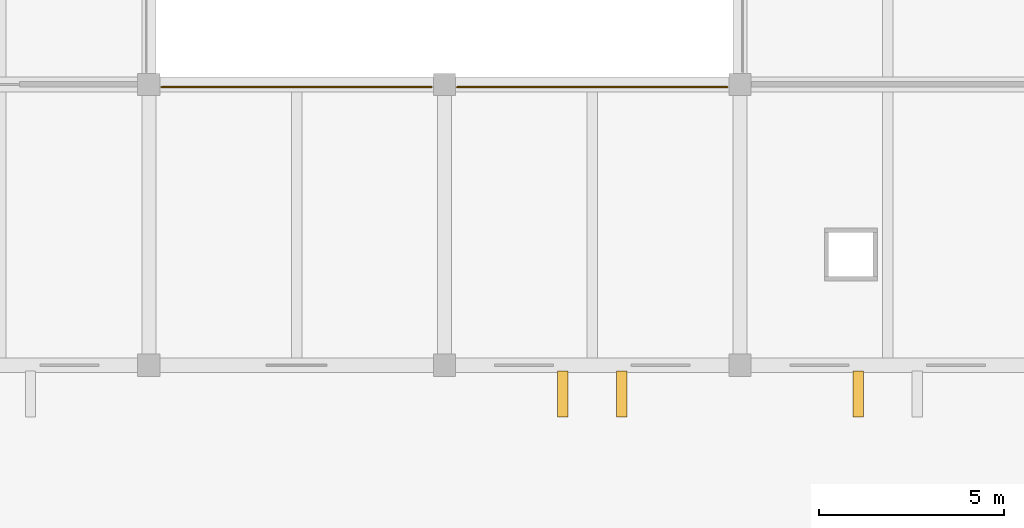
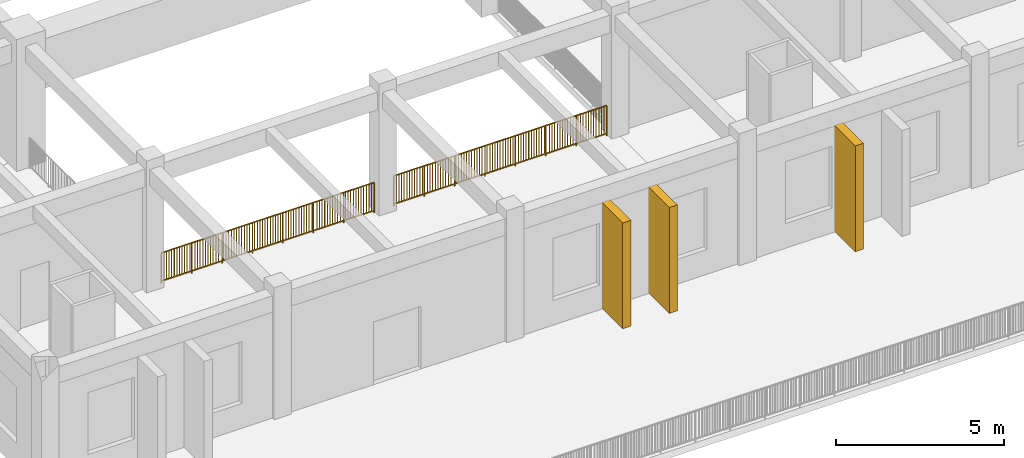
# One storey, part 99 of 101: 3 shading devices, 2 railings.
"""IFC4 building model written with IfcOpenShell, lengths in metres."""

from ifc_helpers import new_model, si_unit, direction, frame, origin, origin_2d, place, context, subcontext, project, spatial, rectangle, circle, extrude, material, type_object, element, save


model = new_model("IFC4")

# Units and contexts
model_context = context("Model", 3, precision=1e-05, world=origin(), true_north=direction((0.0, 1.0)))
body_context = subcontext(model_context, "Body", "Model", "MODEL_VIEW")
ifc_project = project(units=[si_unit("LENGTHUNIT", "METRE"), si_unit("AREAUNIT", "SQUARE_METRE"), si_unit("VOLUMEUNIT", "CUBIC_METRE"), si_unit("PLANEANGLEUNIT", "RADIAN"), si_unit("MASSUNIT", "GRAM", prefix="KILO")], contexts=[model_context])

# Site, building, storey
site_placement = place(None, origin())
site = spatial("IfcSite", under=ifc_project, at=site_placement, CompositionType="ELEMENT")
building_placement = place(site_placement, origin())
building = spatial("IfcBuilding", under=site, at=building_placement, Name="Zantavel Square City Hall", CompositionType="ELEMENT")
storey_placement = place(building_placement, frame((0.0, 0.0, 5.39990234375)))
storey = spatial("IfcBuildingStorey", under=building, at=storey_placement, Name="L02", CompositionType="ELEMENT", Elevation=5.39990234375)

# Railings
ifc_material_1 = material(Name="Steel ASTM A500 Grade B", Category="steel")
railing_type = type_object("IfcRailingType", Name="Atrium & Gallery Steel Guard Railing 1100mm", PredefinedType="GUARDRAIL", material=ifc_material_1)
railing_1_placement = place(storey_placement, frame((128.340087890625, 15.1298828125, 0.0)))
element("IfcRailing", 1, at=railing_1_placement, inside=storey, type_object=railing_type, Name="L02 Atrium Void Guard 021", PredefinedType="GUARDRAIL", context=body_context, shape_type="SweptSolid", body=[
    extrude(circle(Radius=0.02392578125, at=origin_2d()), frame((0.0, 0.0, 1.09619140625), z_axis=(1.0, 0.0, 0.0), x_axis=(0.0, 1.0, 0.0)), (0.0, 0.0, 1.0), 7.31982421875),
    extrude(rectangle(XDim=0.031982421875, YDim=0.031982421875, at=origin_2d()), frame((0.0, 0.0, 0.080078125), z_axis=(1.0, 0.0, 0.0), x_axis=(0.0, 1.0, 0.0)), (0.0, 0.0, 1.0), 7.31982421875),
    extrude(rectangle(XDim=0.02197265625, YDim=0.02197265625, at=origin_2d()), frame((0.08935546875, 0.0, 0.080078125)), (0.0, 0.0, 1.0), 0.991943359375),
    extrude(rectangle(XDim=0.02197265625, YDim=0.02197265625, at=origin_2d()), frame((0.178466796875, 0.0, 0.080078125)), (0.0, 0.0, 1.0), 0.991943359375),
    extrude(rectangle(XDim=0.02197265625, YDim=0.02197265625, at=origin_2d()), frame((0.267822265625, 0.0, 0.080078125)), (0.0, 0.0, 1.0), 0.991943359375),
    extrude(rectangle(XDim=0.02197265625, YDim=0.02197265625, at=origin_2d()), frame((0.357177734375, 0.0, 0.080078125)), (0.0, 0.0, 1.0), 0.991943359375),
    extrude(rectangle(XDim=0.02197265625, YDim=0.02197265625, at=origin_2d()), frame((0.4462890625, 0.0, 0.080078125)), (0.0, 0.0, 1.0), 0.991943359375),
    extrude(rectangle(XDim=0.02197265625, YDim=0.02197265625, at=origin_2d()), frame((0.53564453125, 0.0, 0.080078125)), (0.0, 0.0, 1.0), 0.991943359375),
    extrude(rectangle(XDim=0.02197265625, YDim=0.02197265625, at=origin_2d()), frame((0.624755859375, 0.0, 0.080078125)), (0.0, 0.0, 1.0), 0.991943359375),
    extrude(rectangle(XDim=0.02197265625, YDim=0.02197265625, at=origin_2d()), frame((0.714111328125, 0.0, 0.080078125)), (0.0, 0.0, 1.0), 0.991943359375),
    extrude(rectangle(XDim=0.02197265625, YDim=0.02197265625, at=origin_2d()), frame((0.803466796875, 0.0, 0.080078125)), (0.0, 0.0, 1.0), 0.991943359375),
    extrude(rectangle(XDim=0.02197265625, YDim=0.02197265625, at=origin_2d()), frame((0.892578125, 0.0, 0.080078125)), (0.0, 0.0, 1.0), 0.991943359375),
    extrude(rectangle(XDim=0.02197265625, YDim=0.02197265625, at=origin_2d()), frame((0.98193359375, 0.0, 0.080078125)), (0.0, 0.0, 1.0), 0.991943359375),
    extrude(rectangle(XDim=0.02197265625, YDim=0.02197265625, at=origin_2d()), frame((1.160400390625, 0.0, 0.080078125)), (0.0, 0.0, 1.0), 0.991943359375),
    extrude(rectangle(XDim=0.02197265625, YDim=0.02197265625, at=origin_2d()), frame((1.249755859375, 0.0, 0.080078125)), (0.0, 0.0, 1.0), 0.991943359375),
    extrude(rectangle(XDim=0.02197265625, YDim=0.02197265625, at=origin_2d()), frame((1.339111328125, 0.0, 0.080078125)), (0.0, 0.0, 1.0), 0.991943359375),
    extrude(rectangle(XDim=0.02197265625, YDim=0.02197265625, at=origin_2d()), frame((1.42822265625, 0.0, 0.080078125)), (0.0, 0.0, 1.0), 0.991943359375),
    extrude(rectangle(XDim=0.02197265625, YDim=0.02197265625, at=origin_2d()), frame((1.517578125, 0.0, 0.080078125)), (0.0, 0.0, 1.0), 0.991943359375),
    extrude(rectangle(XDim=0.02197265625, YDim=0.02197265625, at=origin_2d()), frame((1.606689453125, 0.0, 0.080078125)), (0.0, 0.0, 1.0), 0.991943359375),
    extrude(rectangle(XDim=0.02197265625, YDim=0.02197265625, at=origin_2d()), frame((1.696044921875, 0.0, 0.080078125)), (0.0, 0.0, 1.0), 0.991943359375),
    extrude(rectangle(XDim=0.02197265625, YDim=0.02197265625, at=origin_2d()), frame((1.785400390625, 0.0, 0.080078125)), (0.0, 0.0, 1.0), 0.991943359375),
    extrude(rectangle(XDim=0.02197265625, YDim=0.02197265625, at=origin_2d()), frame((1.87451171875, 0.0, 0.080078125)), (0.0, 0.0, 1.0), 0.991943359375),
    extrude(rectangle(XDim=0.02197265625, YDim=0.02197265625, at=origin_2d()), frame((1.9638671875, 0.0, 0.080078125)), (0.0, 0.0, 1.0), 0.991943359375),
    extrude(rectangle(XDim=0.02197265625, YDim=0.02197265625, at=origin_2d()), frame((2.142333984375, 0.0, 0.080078125)), (0.0, 0.0, 1.0), 0.991943359375),
    extrude(rectangle(XDim=0.02197265625, YDim=0.02197265625, at=origin_2d()), frame((2.231689453125, 0.0, 0.080078125)), (0.0, 0.0, 1.0), 0.991943359375),
    extrude(rectangle(XDim=0.02197265625, YDim=0.02197265625, at=origin_2d()), frame((2.32080078125, 0.0, 0.080078125)), (0.0, 0.0, 1.0), 0.991943359375),
    extrude(rectangle(XDim=0.02197265625, YDim=0.02197265625, at=origin_2d()), frame((2.41015625, 0.0, 0.080078125)), (0.0, 0.0, 1.0), 0.991943359375),
    extrude(rectangle(XDim=0.02197265625, YDim=0.02197265625, at=origin_2d()), frame((2.49951171875, 0.0, 0.080078125)), (0.0, 0.0, 1.0), 0.991943359375),
    extrude(rectangle(XDim=0.02197265625, YDim=0.02197265625, at=origin_2d()), frame((2.588623046875, 0.0, 0.080078125)), (0.0, 0.0, 1.0), 0.991943359375),
    extrude(rectangle(XDim=0.02197265625, YDim=0.02197265625, at=origin_2d()), frame((2.677978515625, 0.0, 0.080078125)), (0.0, 0.0, 1.0), 0.991943359375),
    extrude(rectangle(XDim=0.02197265625, YDim=0.02197265625, at=origin_2d()), frame((2.767333984375, 0.0, 0.080078125)), (0.0, 0.0, 1.0), 0.991943359375),
    extrude(rectangle(XDim=0.02197265625, YDim=0.02197265625, at=origin_2d()), frame((2.8564453125, 0.0, 0.080078125)), (0.0, 0.0, 1.0), 0.991943359375),
    extrude(rectangle(XDim=0.02197265625, YDim=0.02197265625, at=origin_2d()), frame((2.94580078125, 0.0, 0.080078125)), (0.0, 0.0, 1.0), 0.991943359375),
    extrude(rectangle(XDim=0.02197265625, YDim=0.02197265625, at=origin_2d()), frame((3.03515625, 0.0, 0.080078125)), (0.0, 0.0, 1.0), 0.991943359375),
    extrude(rectangle(XDim=0.02197265625, YDim=0.02197265625, at=origin_2d()), frame((3.213623046875, 0.0, 0.080078125)), (0.0, 0.0, 1.0), 0.991943359375),
    extrude(rectangle(XDim=0.02197265625, YDim=0.02197265625, at=origin_2d()), frame((3.302734375, 0.0, 0.080078125)), (0.0, 0.0, 1.0), 0.991943359375),
    extrude(rectangle(XDim=0.02197265625, YDim=0.02197265625, at=origin_2d()), frame((3.39208984375, 0.0, 0.080078125)), (0.0, 0.0, 1.0), 0.991943359375),
    extrude(rectangle(XDim=0.02197265625, YDim=0.02197265625, at=origin_2d()), frame((3.4814453125, 0.0, 0.080078125)), (0.0, 0.0, 1.0), 0.991943359375),
    extrude(rectangle(XDim=0.02197265625, YDim=0.02197265625, at=origin_2d()), frame((3.570556640625, 0.0, 0.080078125)), (0.0, 0.0, 1.0), 0.991943359375),
    extrude(rectangle(XDim=0.02197265625, YDim=0.02197265625, at=origin_2d()), frame((3.659912109375, 0.0, 0.080078125)), (0.0, 0.0, 1.0), 0.991943359375),
    extrude(rectangle(XDim=0.02197265625, YDim=0.02197265625, at=origin_2d()), frame((3.749267578125, 0.0, 0.080078125)), (0.0, 0.0, 1.0), 0.991943359375),
    extrude(rectangle(XDim=0.02197265625, YDim=0.02197265625, at=origin_2d()), frame((3.83837890625, 0.0, 0.080078125)), (0.0, 0.0, 1.0), 0.991943359375),
    extrude(rectangle(XDim=0.02197265625, YDim=0.02197265625, at=origin_2d()), frame((3.927734375, 0.0, 0.080078125)), (0.0, 0.0, 1.0), 0.991943359375),
    extrude(rectangle(XDim=0.02197265625, YDim=0.02197265625, at=origin_2d()), frame((4.01708984375, 0.0, 0.080078125)), (0.0, 0.0, 1.0), 0.991943359375),
    extrude(rectangle(XDim=0.02197265625, YDim=0.02197265625, at=origin_2d()), frame((4.106201171875, 0.0, 0.080078125)), (0.0, 0.0, 1.0), 0.991943359375),
    extrude(rectangle(XDim=0.02197265625, YDim=0.02197265625, at=origin_2d()), frame((4.28466796875, 0.0, 0.080078125)), (0.0, 0.0, 1.0), 0.991943359375),
    extrude(rectangle(XDim=0.02197265625, YDim=0.02197265625, at=origin_2d()), frame((4.3740234375, 0.0, 0.080078125)), (0.0, 0.0, 1.0), 0.991943359375),
    extrude(rectangle(XDim=0.02197265625, YDim=0.02197265625, at=origin_2d()), frame((4.46337890625, 0.0, 0.080078125)), (0.0, 0.0, 1.0), 0.991943359375),
    extrude(rectangle(XDim=0.02197265625, YDim=0.02197265625, at=origin_2d()), frame((4.552490234375, 0.0, 0.080078125)), (0.0, 0.0, 1.0), 0.991943359375),
    extrude(rectangle(XDim=0.02197265625, YDim=0.02197265625, at=origin_2d()), frame((4.641845703125, 0.0, 0.080078125)), (0.0, 0.0, 1.0), 0.991943359375),
    extrude(rectangle(XDim=0.02197265625, YDim=0.02197265625, at=origin_2d()), frame((4.731201171875, 0.0, 0.080078125)), (0.0, 0.0, 1.0), 0.991943359375),
    extrude(rectangle(XDim=0.02197265625, YDim=0.02197265625, at=origin_2d()), frame((4.8203125, 0.0, 0.080078125)), (0.0, 0.0, 1.0), 0.991943359375),
    extrude(rectangle(XDim=0.02197265625, YDim=0.02197265625, at=origin_2d()), frame((4.90966796875, 0.0, 0.080078125)), (0.0, 0.0, 1.0), 0.991943359375),
    extrude(rectangle(XDim=0.02197265625, YDim=0.02197265625, at=origin_2d()), frame((4.9990234375, 0.0, 0.080078125)), (0.0, 0.0, 1.0), 0.991943359375),
    extrude(rectangle(XDim=0.02197265625, YDim=0.02197265625, at=origin_2d()), frame((5.088134765625, 0.0, 0.080078125)), (0.0, 0.0, 1.0), 0.991943359375),
    extrude(rectangle(XDim=0.02197265625, YDim=0.02197265625, at=origin_2d()), frame((5.177490234375, 0.0, 0.080078125)), (0.0, 0.0, 1.0), 0.991943359375),
    extrude(rectangle(XDim=0.02197265625, YDim=0.02197265625, at=origin_2d()), frame((5.35595703125, 0.0, 0.080078125)), (0.0, 0.0, 1.0), 0.991943359375),
    extrude(rectangle(XDim=0.02197265625, YDim=0.02197265625, at=origin_2d()), frame((5.4453125, 0.0, 0.080078125)), (0.0, 0.0, 1.0), 0.991943359375),
    extrude(rectangle(XDim=0.02197265625, YDim=0.02197265625, at=origin_2d()), frame((5.534423828125, 0.0, 0.080078125)), (0.0, 0.0, 1.0), 0.991943359375),
    extrude(rectangle(XDim=0.02197265625, YDim=0.02197265625, at=origin_2d()), frame((5.623779296875, 0.0, 0.080078125)), (0.0, 0.0, 1.0), 0.991943359375),
    extrude(rectangle(XDim=0.02197265625, YDim=0.02197265625, at=origin_2d()), frame((5.713134765625, 0.0, 0.080078125)), (0.0, 0.0, 1.0), 0.991943359375),
    extrude(rectangle(XDim=0.02197265625, YDim=0.02197265625, at=origin_2d()), frame((5.80224609375, 0.0, 0.080078125)), (0.0, 0.0, 1.0), 0.991943359375),
    extrude(rectangle(XDim=0.02197265625, YDim=0.02197265625, at=origin_2d()), frame((5.8916015625, 0.0, 0.080078125)), (0.0, 0.0, 1.0), 0.991943359375),
    extrude(rectangle(XDim=0.02197265625, YDim=0.02197265625, at=origin_2d()), frame((5.980712890625, 0.0, 0.080078125)), (0.0, 0.0, 1.0), 0.991943359375),
    extrude(rectangle(XDim=0.02197265625, YDim=0.02197265625, at=origin_2d()), frame((6.070068359375, 0.0, 0.080078125)), (0.0, 0.0, 1.0), 0.991943359375),
    extrude(rectangle(XDim=0.02197265625, YDim=0.02197265625, at=origin_2d()), frame((6.159423828125, 0.0, 0.080078125)), (0.0, 0.0, 1.0), 0.991943359375),
    extrude(rectangle(XDim=0.02197265625, YDim=0.02197265625, at=origin_2d()), frame((6.337890625, 0.0, 0.080078125)), (0.0, 0.0, 1.0), 0.991943359375),
    extrude(rectangle(XDim=0.02197265625, YDim=0.02197265625, at=origin_2d()), frame((6.42724609375, 0.0, 0.080078125)), (0.0, 0.0, 1.0), 0.991943359375),
    extrude(rectangle(XDim=0.02197265625, YDim=0.02197265625, at=origin_2d()), frame((6.516357421875, 0.0, 0.080078125)), (0.0, 0.0, 1.0), 0.991943359375),
    extrude(rectangle(XDim=0.02197265625, YDim=0.02197265625, at=origin_2d()), frame((6.605712890625, 0.0, 0.080078125)), (0.0, 0.0, 1.0), 0.991943359375),
    extrude(rectangle(XDim=0.02197265625, YDim=0.02197265625, at=origin_2d()), frame((6.695068359375, 0.0, 0.080078125)), (0.0, 0.0, 1.0), 0.991943359375),
    extrude(rectangle(XDim=0.02197265625, YDim=0.02197265625, at=origin_2d()), frame((6.7841796875, 0.0, 0.080078125)), (0.0, 0.0, 1.0), 0.991943359375),
    extrude(rectangle(XDim=0.02197265625, YDim=0.02197265625, at=origin_2d()), frame((6.87353515625, 0.0, 0.080078125)), (0.0, 0.0, 1.0), 0.991943359375),
    extrude(rectangle(XDim=0.02197265625, YDim=0.02197265625, at=origin_2d()), frame((6.962646484375, 0.0, 0.080078125)), (0.0, 0.0, 1.0), 0.991943359375),
    extrude(rectangle(XDim=0.02197265625, YDim=0.02197265625, at=origin_2d()), frame((7.052001953125, 0.0, 0.080078125)), (0.0, 0.0, 1.0), 0.991943359375),
    extrude(rectangle(XDim=0.02197265625, YDim=0.02197265625, at=origin_2d()), frame((7.141357421875, 0.0, 0.080078125)), (0.0, 0.0, 1.0), 0.991943359375),
    extrude(rectangle(XDim=0.02197265625, YDim=0.02197265625, at=origin_2d()), frame((7.23046875, 0.0, 0.080078125)), (0.0, 0.0, 1.0), 0.991943359375),
    extrude(circle(Radius=0.02099609375, at=origin_2d()), origin(), (0.0, 0.0, 1.0), 1.072021484375),
    extrude(circle(Radius=0.02099609375, at=origin_2d()), frame((1.045654296875, 0.0, 0.0)), (0.0, 0.0, 1.0), 1.072021484375),
    extrude(circle(Radius=0.02099609375, at=origin_2d()), frame((2.09130859375, 0.0, 0.0)), (0.0, 0.0, 1.0), 1.072021484375),
    extrude(circle(Radius=0.02099609375, at=origin_2d()), frame((3.136962890625, 0.0, 0.0)), (0.0, 0.0, 1.0), 1.072021484375),
    extrude(circle(Radius=0.02099609375, at=origin_2d()), frame((4.182861328125, 0.0, 0.0)), (0.0, 0.0, 1.0), 1.072021484375),
    extrude(circle(Radius=0.02099609375, at=origin_2d()), frame((5.228515625, 0.0, 0.0)), (0.0, 0.0, 1.0), 1.072021484375),
    extrude(circle(Radius=0.02099609375, at=origin_2d()), frame((6.274169921875, 0.0, 0.0)), (0.0, 0.0, 1.0), 1.072021484375),
    extrude(circle(Radius=0.02099609375, at=origin_2d()), frame((7.31982421875, 0.0, 0.0)), (0.0, 0.0, 1.0), 1.072021484375),
])
railing_2_placement = place(storey_placement, frame((136.340087890625, 15.1298828125, 0.0)))
element("IfcRailing", 2, at=railing_2_placement, inside=storey, type_object=railing_type, Name="L02 Atrium Void Guard 023", PredefinedType="GUARDRAIL", context=body_context, shape_type="SweptSolid", body=[
    extrude(circle(Radius=0.02392578125, at=origin_2d()), frame((0.0, 0.0, 1.09619140625), z_axis=(1.0, 0.0, 0.0), x_axis=(0.0, 1.0, 0.0)), (0.0, 0.0, 1.0), 7.31982421875),
    extrude(rectangle(XDim=0.031982421875, YDim=0.031982421875, at=origin_2d()), frame((0.0, 0.0, 0.080078125), z_axis=(1.0, 0.0, 0.0), x_axis=(0.0, 1.0, 0.0)), (0.0, 0.0, 1.0), 7.31982421875),
    extrude(rectangle(XDim=0.02197265625, YDim=0.02197265625, at=origin_2d()), frame((0.08935546875, 0.0, 0.080078125)), (0.0, 0.0, 1.0), 0.991943359375),
    extrude(rectangle(XDim=0.02197265625, YDim=0.02197265625, at=origin_2d()), frame((0.178466796875, 0.0, 0.080078125)), (0.0, 0.0, 1.0), 0.991943359375),
    extrude(rectangle(XDim=0.02197265625, YDim=0.02197265625, at=origin_2d()), frame((0.267822265625, 0.0, 0.080078125)), (0.0, 0.0, 1.0), 0.991943359375),
    extrude(rectangle(XDim=0.02197265625, YDim=0.02197265625, at=origin_2d()), frame((0.357177734375, 0.0, 0.080078125)), (0.0, 0.0, 1.0), 0.991943359375),
    extrude(rectangle(XDim=0.02197265625, YDim=0.02197265625, at=origin_2d()), frame((0.4462890625, 0.0, 0.080078125)), (0.0, 0.0, 1.0), 0.991943359375),
    extrude(rectangle(XDim=0.02197265625, YDim=0.02197265625, at=origin_2d()), frame((0.53564453125, 0.0, 0.080078125)), (0.0, 0.0, 1.0), 0.991943359375),
    extrude(rectangle(XDim=0.02197265625, YDim=0.02197265625, at=origin_2d()), frame((0.624755859375, 0.0, 0.080078125)), (0.0, 0.0, 1.0), 0.991943359375),
    extrude(rectangle(XDim=0.02197265625, YDim=0.02197265625, at=origin_2d()), frame((0.714111328125, 0.0, 0.080078125)), (0.0, 0.0, 1.0), 0.991943359375),
    extrude(rectangle(XDim=0.02197265625, YDim=0.02197265625, at=origin_2d()), frame((0.803466796875, 0.0, 0.080078125)), (0.0, 0.0, 1.0), 0.991943359375),
    extrude(rectangle(XDim=0.02197265625, YDim=0.02197265625, at=origin_2d()), frame((0.892578125, 0.0, 0.080078125)), (0.0, 0.0, 1.0), 0.991943359375),
    extrude(rectangle(XDim=0.02197265625, YDim=0.02197265625, at=origin_2d()), frame((0.98193359375, 0.0, 0.080078125)), (0.0, 0.0, 1.0), 0.991943359375),
    extrude(rectangle(XDim=0.02197265625, YDim=0.02197265625, at=origin_2d()), frame((1.160400390625, 0.0, 0.080078125)), (0.0, 0.0, 1.0), 0.991943359375),
    extrude(rectangle(XDim=0.02197265625, YDim=0.02197265625, at=origin_2d()), frame((1.249755859375, 0.0, 0.080078125)), (0.0, 0.0, 1.0), 0.991943359375),
    extrude(rectangle(XDim=0.02197265625, YDim=0.02197265625, at=origin_2d()), frame((1.339111328125, 0.0, 0.080078125)), (0.0, 0.0, 1.0), 0.991943359375),
    extrude(rectangle(XDim=0.02197265625, YDim=0.02197265625, at=origin_2d()), frame((1.42822265625, 0.0, 0.080078125)), (0.0, 0.0, 1.0), 0.991943359375),
    extrude(rectangle(XDim=0.02197265625, YDim=0.02197265625, at=origin_2d()), frame((1.517578125, 0.0, 0.080078125)), (0.0, 0.0, 1.0), 0.991943359375),
    extrude(rectangle(XDim=0.02197265625, YDim=0.02197265625, at=origin_2d()), frame((1.606689453125, 0.0, 0.080078125)), (0.0, 0.0, 1.0), 0.991943359375),
    extrude(rectangle(XDim=0.02197265625, YDim=0.02197265625, at=origin_2d()), frame((1.696044921875, 0.0, 0.080078125)), (0.0, 0.0, 1.0), 0.991943359375),
    extrude(rectangle(XDim=0.02197265625, YDim=0.02197265625, at=origin_2d()), frame((1.785400390625, 0.0, 0.080078125)), (0.0, 0.0, 1.0), 0.991943359375),
    extrude(rectangle(XDim=0.02197265625, YDim=0.02197265625, at=origin_2d()), frame((1.87451171875, 0.0, 0.080078125)), (0.0, 0.0, 1.0), 0.991943359375),
    extrude(rectangle(XDim=0.02197265625, YDim=0.02197265625, at=origin_2d()), frame((1.9638671875, 0.0, 0.080078125)), (0.0, 0.0, 1.0), 0.991943359375),
    extrude(rectangle(XDim=0.02197265625, YDim=0.02197265625, at=origin_2d()), frame((2.142333984375, 0.0, 0.080078125)), (0.0, 0.0, 1.0), 0.991943359375),
    extrude(rectangle(XDim=0.02197265625, YDim=0.02197265625, at=origin_2d()), frame((2.231689453125, 0.0, 0.080078125)), (0.0, 0.0, 1.0), 0.991943359375),
    extrude(rectangle(XDim=0.02197265625, YDim=0.02197265625, at=origin_2d()), frame((2.32080078125, 0.0, 0.080078125)), (0.0, 0.0, 1.0), 0.991943359375),
    extrude(rectangle(XDim=0.02197265625, YDim=0.02197265625, at=origin_2d()), frame((2.41015625, 0.0, 0.080078125)), (0.0, 0.0, 1.0), 0.991943359375),
    extrude(rectangle(XDim=0.02197265625, YDim=0.02197265625, at=origin_2d()), frame((2.49951171875, 0.0, 0.080078125)), (0.0, 0.0, 1.0), 0.991943359375),
    extrude(rectangle(XDim=0.02197265625, YDim=0.02197265625, at=origin_2d()), frame((2.588623046875, 0.0, 0.080078125)), (0.0, 0.0, 1.0), 0.991943359375),
    extrude(rectangle(XDim=0.02197265625, YDim=0.02197265625, at=origin_2d()), frame((2.677978515625, 0.0, 0.080078125)), (0.0, 0.0, 1.0), 0.991943359375),
    extrude(rectangle(XDim=0.02197265625, YDim=0.02197265625, at=origin_2d()), frame((2.767333984375, 0.0, 0.080078125)), (0.0, 0.0, 1.0), 0.991943359375),
    extrude(rectangle(XDim=0.02197265625, YDim=0.02197265625, at=origin_2d()), frame((2.8564453125, 0.0, 0.080078125)), (0.0, 0.0, 1.0), 0.991943359375),
    extrude(rectangle(XDim=0.02197265625, YDim=0.02197265625, at=origin_2d()), frame((2.94580078125, 0.0, 0.080078125)), (0.0, 0.0, 1.0), 0.991943359375),
    extrude(rectangle(XDim=0.02197265625, YDim=0.02197265625, at=origin_2d()), frame((3.03515625, 0.0, 0.080078125)), (0.0, 0.0, 1.0), 0.991943359375),
    extrude(rectangle(XDim=0.02197265625, YDim=0.02197265625, at=origin_2d()), frame((3.213623046875, 0.0, 0.080078125)), (0.0, 0.0, 1.0), 0.991943359375),
    extrude(rectangle(XDim=0.02197265625, YDim=0.02197265625, at=origin_2d()), frame((3.302734375, 0.0, 0.080078125)), (0.0, 0.0, 1.0), 0.991943359375),
    extrude(rectangle(XDim=0.02197265625, YDim=0.02197265625, at=origin_2d()), frame((3.39208984375, 0.0, 0.080078125)), (0.0, 0.0, 1.0), 0.991943359375),
    extrude(rectangle(XDim=0.02197265625, YDim=0.02197265625, at=origin_2d()), frame((3.4814453125, 0.0, 0.080078125)), (0.0, 0.0, 1.0), 0.991943359375),
    extrude(rectangle(XDim=0.02197265625, YDim=0.02197265625, at=origin_2d()), frame((3.570556640625, 0.0, 0.080078125)), (0.0, 0.0, 1.0), 0.991943359375),
    extrude(rectangle(XDim=0.02197265625, YDim=0.02197265625, at=origin_2d()), frame((3.659912109375, 0.0, 0.080078125)), (0.0, 0.0, 1.0), 0.991943359375),
    extrude(rectangle(XDim=0.02197265625, YDim=0.02197265625, at=origin_2d()), frame((3.749267578125, 0.0, 0.080078125)), (0.0, 0.0, 1.0), 0.991943359375),
    extrude(rectangle(XDim=0.02197265625, YDim=0.02197265625, at=origin_2d()), frame((3.83837890625, 0.0, 0.080078125)), (0.0, 0.0, 1.0), 0.991943359375),
    extrude(rectangle(XDim=0.02197265625, YDim=0.02197265625, at=origin_2d()), frame((3.927734375, 0.0, 0.080078125)), (0.0, 0.0, 1.0), 0.991943359375),
    extrude(rectangle(XDim=0.02197265625, YDim=0.02197265625, at=origin_2d()), frame((4.01708984375, 0.0, 0.080078125)), (0.0, 0.0, 1.0), 0.991943359375),
    extrude(rectangle(XDim=0.02197265625, YDim=0.02197265625, at=origin_2d()), frame((4.106201171875, 0.0, 0.080078125)), (0.0, 0.0, 1.0), 0.991943359375),
    extrude(rectangle(XDim=0.02197265625, YDim=0.02197265625, at=origin_2d()), frame((4.28466796875, 0.0, 0.080078125)), (0.0, 0.0, 1.0), 0.991943359375),
    extrude(rectangle(XDim=0.02197265625, YDim=0.02197265625, at=origin_2d()), frame((4.3740234375, 0.0, 0.080078125)), (0.0, 0.0, 1.0), 0.991943359375),
    extrude(rectangle(XDim=0.02197265625, YDim=0.02197265625, at=origin_2d()), frame((4.46337890625, 0.0, 0.080078125)), (0.0, 0.0, 1.0), 0.991943359375),
    extrude(rectangle(XDim=0.02197265625, YDim=0.02197265625, at=origin_2d()), frame((4.552490234375, 0.0, 0.080078125)), (0.0, 0.0, 1.0), 0.991943359375),
    extrude(rectangle(XDim=0.02197265625, YDim=0.02197265625, at=origin_2d()), frame((4.641845703125, 0.0, 0.080078125)), (0.0, 0.0, 1.0), 0.991943359375),
    extrude(rectangle(XDim=0.02197265625, YDim=0.02197265625, at=origin_2d()), frame((4.731201171875, 0.0, 0.080078125)), (0.0, 0.0, 1.0), 0.991943359375),
    extrude(rectangle(XDim=0.02197265625, YDim=0.02197265625, at=origin_2d()), frame((4.8203125, 0.0, 0.080078125)), (0.0, 0.0, 1.0), 0.991943359375),
    extrude(rectangle(XDim=0.02197265625, YDim=0.02197265625, at=origin_2d()), frame((4.90966796875, 0.0, 0.080078125)), (0.0, 0.0, 1.0), 0.991943359375),
    extrude(rectangle(XDim=0.02197265625, YDim=0.02197265625, at=origin_2d()), frame((4.9990234375, 0.0, 0.080078125)), (0.0, 0.0, 1.0), 0.991943359375),
    extrude(rectangle(XDim=0.02197265625, YDim=0.02197265625, at=origin_2d()), frame((5.088134765625, 0.0, 0.080078125)), (0.0, 0.0, 1.0), 0.991943359375),
    extrude(rectangle(XDim=0.02197265625, YDim=0.02197265625, at=origin_2d()), frame((5.177490234375, 0.0, 0.080078125)), (0.0, 0.0, 1.0), 0.991943359375),
    extrude(rectangle(XDim=0.02197265625, YDim=0.02197265625, at=origin_2d()), frame((5.35595703125, 0.0, 0.080078125)), (0.0, 0.0, 1.0), 0.991943359375),
    extrude(rectangle(XDim=0.02197265625, YDim=0.02197265625, at=origin_2d()), frame((5.4453125, 0.0, 0.080078125)), (0.0, 0.0, 1.0), 0.991943359375),
    extrude(rectangle(XDim=0.02197265625, YDim=0.02197265625, at=origin_2d()), frame((5.534423828125, 0.0, 0.080078125)), (0.0, 0.0, 1.0), 0.991943359375),
    extrude(rectangle(XDim=0.02197265625, YDim=0.02197265625, at=origin_2d()), frame((5.623779296875, 0.0, 0.080078125)), (0.0, 0.0, 1.0), 0.991943359375),
    extrude(rectangle(XDim=0.02197265625, YDim=0.02197265625, at=origin_2d()), frame((5.713134765625, 0.0, 0.080078125)), (0.0, 0.0, 1.0), 0.991943359375),
    extrude(rectangle(XDim=0.02197265625, YDim=0.02197265625, at=origin_2d()), frame((5.80224609375, 0.0, 0.080078125)), (0.0, 0.0, 1.0), 0.991943359375),
    extrude(rectangle(XDim=0.02197265625, YDim=0.02197265625, at=origin_2d()), frame((5.8916015625, 0.0, 0.080078125)), (0.0, 0.0, 1.0), 0.991943359375),
    extrude(rectangle(XDim=0.02197265625, YDim=0.02197265625, at=origin_2d()), frame((5.980712890625, 0.0, 0.080078125)), (0.0, 0.0, 1.0), 0.991943359375),
    extrude(rectangle(XDim=0.02197265625, YDim=0.02197265625, at=origin_2d()), frame((6.070068359375, 0.0, 0.080078125)), (0.0, 0.0, 1.0), 0.991943359375),
    extrude(rectangle(XDim=0.02197265625, YDim=0.02197265625, at=origin_2d()), frame((6.159423828125, 0.0, 0.080078125)), (0.0, 0.0, 1.0), 0.991943359375),
    extrude(rectangle(XDim=0.02197265625, YDim=0.02197265625, at=origin_2d()), frame((6.337890625, 0.0, 0.080078125)), (0.0, 0.0, 1.0), 0.991943359375),
    extrude(rectangle(XDim=0.02197265625, YDim=0.02197265625, at=origin_2d()), frame((6.42724609375, 0.0, 0.080078125)), (0.0, 0.0, 1.0), 0.991943359375),
    extrude(rectangle(XDim=0.02197265625, YDim=0.02197265625, at=origin_2d()), frame((6.516357421875, 0.0, 0.080078125)), (0.0, 0.0, 1.0), 0.991943359375),
    extrude(rectangle(XDim=0.02197265625, YDim=0.02197265625, at=origin_2d()), frame((6.605712890625, 0.0, 0.080078125)), (0.0, 0.0, 1.0), 0.991943359375),
    extrude(rectangle(XDim=0.02197265625, YDim=0.02197265625, at=origin_2d()), frame((6.695068359375, 0.0, 0.080078125)), (0.0, 0.0, 1.0), 0.991943359375),
    extrude(rectangle(XDim=0.02197265625, YDim=0.02197265625, at=origin_2d()), frame((6.7841796875, 0.0, 0.080078125)), (0.0, 0.0, 1.0), 0.991943359375),
    extrude(rectangle(XDim=0.02197265625, YDim=0.02197265625, at=origin_2d()), frame((6.87353515625, 0.0, 0.080078125)), (0.0, 0.0, 1.0), 0.991943359375),
    extrude(rectangle(XDim=0.02197265625, YDim=0.02197265625, at=origin_2d()), frame((6.962646484375, 0.0, 0.080078125)), (0.0, 0.0, 1.0), 0.991943359375),
    extrude(rectangle(XDim=0.02197265625, YDim=0.02197265625, at=origin_2d()), frame((7.052001953125, 0.0, 0.080078125)), (0.0, 0.0, 1.0), 0.991943359375),
    extrude(rectangle(XDim=0.02197265625, YDim=0.02197265625, at=origin_2d()), frame((7.141357421875, 0.0, 0.080078125)), (0.0, 0.0, 1.0), 0.991943359375),
    extrude(rectangle(XDim=0.02197265625, YDim=0.02197265625, at=origin_2d()), frame((7.23046875, 0.0, 0.080078125)), (0.0, 0.0, 1.0), 0.991943359375),
    extrude(circle(Radius=0.02099609375, at=origin_2d()), origin(), (0.0, 0.0, 1.0), 1.072021484375),
    extrude(circle(Radius=0.02099609375, at=origin_2d()), frame((1.045654296875, 0.0, 0.0)), (0.0, 0.0, 1.0), 1.072021484375),
    extrude(circle(Radius=0.02099609375, at=origin_2d()), frame((2.09130859375, 0.0, 0.0)), (0.0, 0.0, 1.0), 1.072021484375),
    extrude(circle(Radius=0.02099609375, at=origin_2d()), frame((3.136962890625, 0.0, 0.0)), (0.0, 0.0, 1.0), 1.072021484375),
    extrude(circle(Radius=0.02099609375, at=origin_2d()), frame((4.182861328125, 0.0, 0.0)), (0.0, 0.0, 1.0), 1.072021484375),
    extrude(circle(Radius=0.02099609375, at=origin_2d()), frame((5.228515625, 0.0, 0.0)), (0.0, 0.0, 1.0), 1.072021484375),
    extrude(circle(Radius=0.02099609375, at=origin_2d()), frame((6.274169921875, 0.0, 0.0)), (0.0, 0.0, 1.0), 1.072021484375),
    extrude(circle(Radius=0.02099609375, at=origin_2d()), frame((7.31982421875, 0.0, 0.0)), (0.0, 0.0, 1.0), 1.072021484375),
])

# Shading devices
ifc_material_2 = material(Name="Cantera volcanic tuff stone", Category="masonry")
shading_device_type = type_object("IfcShadingDeviceType", Name="Cantera Vertical Solar Shading Pier 280x1240", PredefinedType="USERDEFINED", material=ifc_material_2)
for number, where, z_axis, x_axis, name in (
    (3, (147.199951171875, 6.820068359375, 0.0), (0.0, 0.0, 1.0), (1.0, 0.0, 0.0), "L02 Cantera Solar Pier 004"),
    (4, (140.800048828125, 6.820068359375, 0.0), (0.0, 0.0, 1.0), (1.0, 0.0, 0.0), "L02 Cantera Solar Pier 005"),
    (5, (139.199951171875, 6.820068359375, 0.0), (0.0, 0.0, 1.0), (1.0, 0.0, 0.0), "L02 Cantera Solar Pier 006"),
):
    element("IfcShadingDevice", number, at=place(storey_placement, frame(where, z_axis=z_axis, x_axis=x_axis)), inside=storey, type_object=shading_device_type, Name=name, ObjectType="FIN", PredefinedType="USERDEFINED", context=body_context, shape_type="SweptSolid", body=[
        extrude(rectangle(XDim=0.280029296875, YDim=1.239990234375, at=origin_2d()), origin(), (0.0, 0.0, 1.0), 3.85009765625),
    ])

save(model, "model.ifc")
